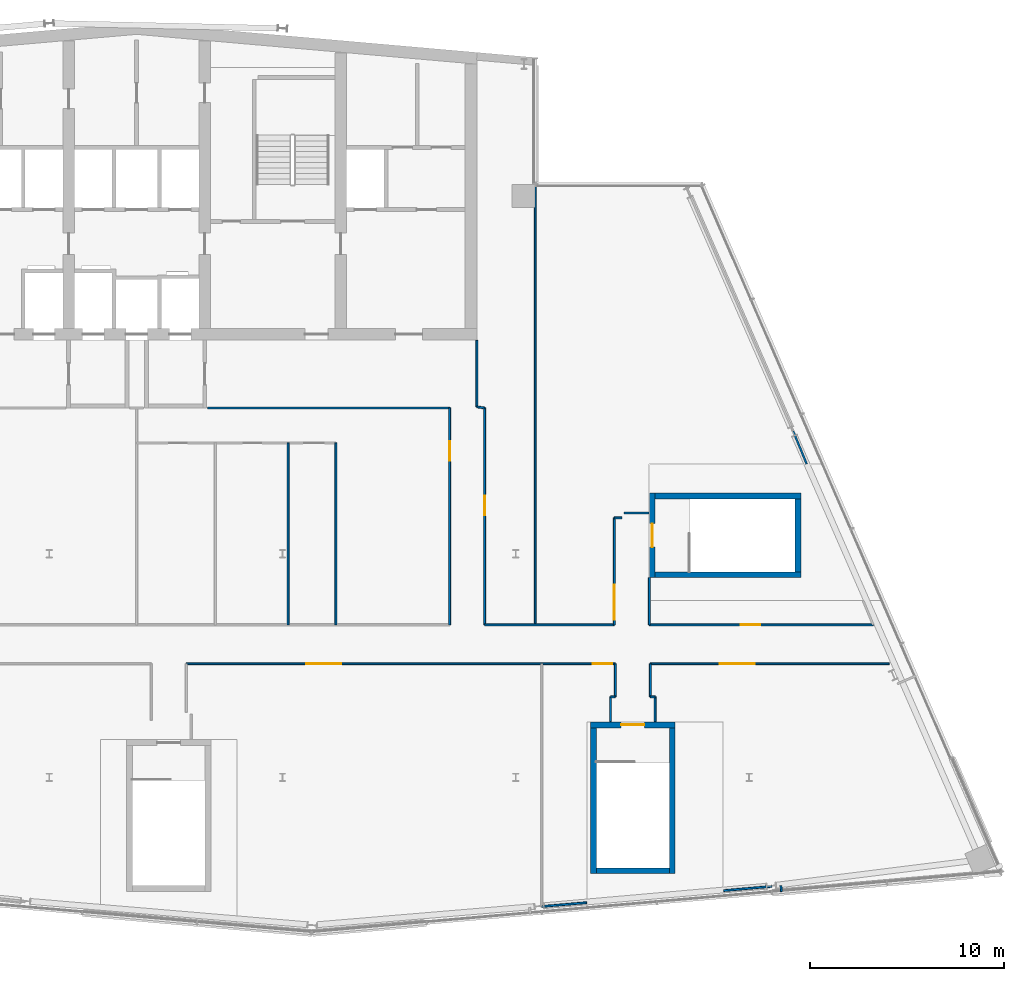
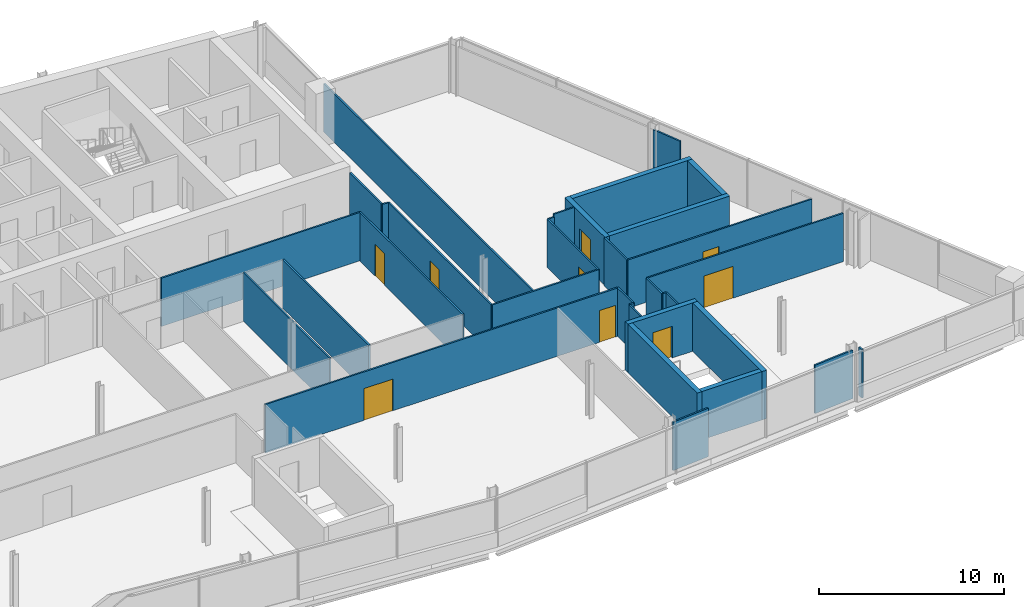
# One storey, part 15 of 19: 34 walls, 9 doors, 9 openings.
"""IFC4 building model written with IfcOpenShell, lengths in metres."""

from ifc_helpers import new_model, si_unit, direction, frame, frame_2d, origin, place, context, subcontext, project, spatial, rectangle, extrude, material, layer, layer_set, type_object, element, fill, save


model = new_model("IFC4")

# Units and contexts
model_context = context("Model", 3, precision=1e-05, world=origin(), true_north=direction((0.0, 1.0)))
body_context = subcontext(model_context, "Body", "Model", "MODEL_VIEW")
ifc_project = project(units=[si_unit("LENGTHUNIT", "METRE"), si_unit("AREAUNIT", "SQUARE_METRE"), si_unit("VOLUMEUNIT", "CUBIC_METRE"), si_unit("PLANEANGLEUNIT", "RADIAN"), si_unit("MASSUNIT", "GRAM", prefix="KILO")], contexts=[model_context])

# Site, building, storey
site_placement = place(None, origin())
site = spatial("IfcSite", under=ifc_project, at=site_placement, CompositionType="ELEMENT")
building_placement = place(site_placement, origin())
building = spatial("IfcBuilding", under=site, at=building_placement, Name="Wharfspan Tower", CompositionType="ELEMENT")
storey_placement = place(building_placement, frame((0.0, 0.0, 257.5)))
storey = spatial("IfcBuildingStorey", under=building, at=storey_placement, Name="L65", CompositionType="ELEMENT", Elevation=257.5)

# Wall, openings, doors
ifc_material_1 = material(Name="Gypsum board on steel studs", Category="steel")
ifc_layer_1 = layer(ifc_material_1, 0.100098)
ifc_layer_set_1 = layer_set([ifc_layer_1], Name="Gypsum board on steel studs")
wall_type_1 = type_object("IfcWallType", Name="Compartment wall 100 EI 60", PredefinedType="PARTITIONING", material=ifc_layer_set_1)
wall_1_placement = place(storey_placement, frame((43.054932, 17.344971, 0.0), z_axis=(0.0, 0.0, 1.0), x_axis=(1.0, 0.0, 0.0)))
wall_1 = element("IfcWall", 1, at=wall_1_placement, inside=storey, type_object=wall_type_1, Name="Partition L65.w015", PredefinedType="PARTITIONING", context=body_context, shape_type="SweptSolid", body=[
    extrude(rectangle(XDim=22.060059, YDim=0.100098, at=frame_2d((11.030029, 0.0))), origin(), (0.0, 0.0, 1.0), 3.199951),
])
opening_1_placement = place(wall_1_placement, frame((6.164307, 0.0, 0.0)))
opening_1 = element("IfcOpeningElement", 2, at=opening_1_placement, cuts=wall_1, Name="Opening D7-02", PredefinedType="OPENING", context=body_context, shape_type="SweptSolid", body=[
    extrude(rectangle(XDim=1.800049, YDim=2.100098, at=frame_2d((0.899902, 1.050049))), frame((0.0, 0.060059, 0.0), z_axis=(0.0, -1.0, 0.0), x_axis=(1.0, 0.0, 0.0)), (0.0, 0.0, 1.0), 0.120117),
])
opening_2_placement = place(wall_1_placement, frame((20.899902, 0.0, 0.0)))
opening_2 = element("IfcOpeningElement", 3, at=opening_2_placement, cuts=wall_1, Name="Opening D7-03", PredefinedType="OPENING", context=body_context, shape_type="SweptSolid", body=[
    extrude(rectangle(XDim=1.0, YDim=2.100098, at=frame_2d((0.5, 1.050049))), frame((0.0, 0.060059, 0.0), z_axis=(0.0, -1.0, 0.0), x_axis=(1.0, 0.0, 0.0)), (0.0, 0.0, 1.0), 0.120117),
])
ifc_material_2 = material(Name="Fire-rated timber door leaf in steel frame", Category="steel")
door_type_1 = type_object("IfcDoorType", Name="Door 1000 FD30S Right", OperationType="SINGLE_SWING_RIGHT", PredefinedType="DOOR", material=ifc_material_2)
door_1_placement = place(opening_2_placement, origin())
door_1 = element("IfcDoor", 4, at=door_1_placement, inside=storey, type_object=door_type_1, Name="Door D7-03", OperationType="SINGLE_SWING_RIGHT", OverallHeight=2.100098, OverallWidth=1.0, PredefinedType="DOOR", context=body_context, shape_type="SweptSolid", body=[
    extrude(rectangle(XDim=1.0, YDim=2.100098, at=frame_2d((0.5, 1.050049))), frame((0.0, 0.024902, 0.0), z_axis=(0.0, -1.0, 0.0), x_axis=(1.0, 0.0, 0.0)), (0.0, 0.0, 1.0), 0.050049),
])
fill(opening_2, door_1)
door_type_2 = type_object("IfcDoorType", Name="Door 1800 FD30S Double", OperationType="DOUBLE_DOOR_SINGLE_SWING", PredefinedType="DOOR", material=ifc_material_2)
door_2_placement = place(opening_1_placement, origin())
door_2 = element("IfcDoor", 5, at=door_2_placement, inside=storey, type_object=door_type_2, Name="Door D7-02", OperationType="DOUBLE_DOOR_SINGLE_SWING", OverallHeight=2.100098, OverallWidth=1.800049, PredefinedType="DOOR", context=body_context, shape_type="SweptSolid", body=[
    extrude(rectangle(XDim=1.800049, YDim=2.100098, at=frame_2d((0.899902, 1.050049))), frame((0.0, 0.024902, 0.0), z_axis=(0.0, -1.0, 0.0), x_axis=(1.0, 0.0, 0.0)), (0.0, 0.0, 1.0), 0.050049),
])
fill(opening_1, door_2)

# Walls
for number, where, z_axis, x_axis, name in (
    (6, (48.290039, 19.350098, 0.0), (0.0, 0.0, 1.0), (0.0, 1.0, 0.0), "Partition L65.w018"),
    (7, (50.75, 19.350098, 0.0), (0.0, 0.0, 1.0), (0.0, 1.0, 0.0), "Partition L65.w019"),
):
    element("IfcWall", number, at=place(storey_placement, frame(where, z_axis=z_axis, x_axis=x_axis)), inside=storey, type_object=wall_type_1, Name=name, PredefinedType="PARTITIONING", context=body_context, shape_type="SweptSolid", body=[
        extrude(rectangle(XDim=9.349854, YDim=0.100098, at=frame_2d((4.674805, 0.0))), origin(), (0.0, 0.0, 1.0), 3.199951),
    ])

# Wall, opening, door
wall_2_placement = place(storey_placement, frame((56.600098, 19.350098, 0.0), z_axis=(0.0, 0.0, 1.0), x_axis=(0.0, 1.0, 0.0)))
wall_2 = element("IfcWall", 8, at=wall_2_placement, inside=storey, type_object=wall_type_1, Name="Partition L65.w020", PredefinedType="PARTITIONING", context=body_context, shape_type="SweptSolid", body=[
    extrude(rectangle(XDim=11.149902, YDim=0.100098, at=frame_2d((5.574951, 0.0))), origin(), (0.0, 0.0, 1.0), 3.199951),
])
opening_3_placement = place(wall_2_placement, frame((8.439209, 0.0, 0.0)))
opening_3 = element("IfcOpeningElement", 9, at=opening_3_placement, cuts=wall_2, Name="Opening D7-08", PredefinedType="OPENING", context=body_context, shape_type="SweptSolid", body=[
    extrude(rectangle(XDim=1.0, YDim=2.100098, at=frame_2d((0.5, 1.050049))), frame((0.0, 0.060059, 0.0), z_axis=(0.0, -1.0, 0.0), x_axis=(1.0, 0.0, 0.0)), (0.0, 0.0, 1.0), 0.120117),
])
door_3_placement = place(opening_3_placement, origin())
door_3 = element("IfcDoor", 10, at=door_3_placement, inside=storey, type_object=door_type_1, Name="Door D7-08", OperationType="SINGLE_SWING_RIGHT", OverallHeight=2.100098, OverallWidth=1.0, PredefinedType="DOOR", context=body_context, shape_type="SweptSolid", body=[
    extrude(rectangle(XDim=1.0, YDim=2.100098, at=frame_2d((0.5, 1.050049))), frame((0.0, 0.024902, 0.0), z_axis=(0.0, -1.0, 0.0), x_axis=(1.0, 0.0, 0.0)), (0.0, 0.0, 1.0), 0.050049),
])
fill(opening_3, door_3)

# Walls
wall_3_placement = place(storey_placement, frame((58.0, 30.560059, 0.0), z_axis=(0.0, 0.0, 1.0), x_axis=(0.0, 1.0, 0.0)))
element("IfcWall", 11, at=wall_3_placement, inside=storey, type_object=wall_type_1, Name="Partition L65.w021", PredefinedType="PARTITIONING", context=body_context, shape_type="SweptSolid", body=[
    extrude(rectangle(XDim=3.419922, YDim=0.100098, at=frame_2d((1.709961, 0.0))), origin(), (0.0, 0.0, 1.0), 3.199951),
])
wall_4_placement = place(storey_placement, frame((58.39502, 30.5, 0.0), z_axis=(0.0, 0.0, 1.0), x_axis=(-0.988637, 0.150312, 0.0)))
element("IfcWall", 12, at=wall_4_placement, inside=storey, type_object=wall_type_1, Name="Partition L65.w022", PredefinedType="PARTITIONING", context=body_context, shape_type="SweptSolid", body=[
    extrude(rectangle(XDim=0.399658, YDim=0.100098, at=frame_2d((0.199707, 0.0))), origin(), (0.0, 0.0, 1.0), 3.199951),
])

# Wall, opening, door
wall_5_placement = place(storey_placement, frame((58.399902, 19.350098, 0.0), z_axis=(0.0, 0.0, 1.0), x_axis=(0.0, 1.0, 0.0)))
wall_5 = element("IfcWall", 13, at=wall_5_placement, inside=storey, type_object=wall_type_1, Name="Partition L65.w023", PredefinedType="PARTITIONING", context=body_context, shape_type="SweptSolid", body=[
    extrude(rectangle(XDim=11.149902, YDim=0.100098, at=frame_2d((5.574951, 0.0))), origin(), (0.0, 0.0, 1.0), 3.199951),
])
opening_4_placement = place(wall_5_placement, frame((5.625, 0.0, 0.0)))
opening_4 = element("IfcOpeningElement", 14, at=opening_4_placement, cuts=wall_5, Name="Opening D7-07", PredefinedType="OPENING", context=body_context, shape_type="SweptSolid", body=[
    extrude(rectangle(XDim=1.0, YDim=2.100098, at=frame_2d((0.5, 1.050049))), frame((0.0, 0.060059, 0.0), z_axis=(0.0, -1.0, 0.0), x_axis=(1.0, 0.0, 0.0)), (0.0, 0.0, 1.0), 0.120117),
])
door_4_placement = place(opening_4_placement, origin())
door_4 = element("IfcDoor", 15, at=door_4_placement, inside=storey, type_object=door_type_1, Name="Door D7-07", OperationType="SINGLE_SWING_RIGHT", OverallHeight=2.100098, OverallWidth=1.0, PredefinedType="DOOR", context=body_context, shape_type="SweptSolid", body=[
    extrude(rectangle(XDim=1.0, YDim=2.100098, at=frame_2d((0.5, 1.050049))), frame((0.0, 0.024902, 0.0), z_axis=(0.0, -1.0, 0.0), x_axis=(1.0, 0.0, 0.0)), (0.0, 0.0, 1.0), 0.050049),
])
fill(opening_4, door_4)

# Walls
wall_6_placement = place(storey_placement, frame((58.399902, 19.350098, 0.0), z_axis=(0.0, 0.0, 1.0), x_axis=(1.0, 0.0, 0.0)))
element("IfcWall", 16, at=wall_6_placement, inside=storey, type_object=wall_type_1, Name="Partition L65.w024", PredefinedType="PARTITIONING", context=body_context, shape_type="SweptSolid", body=[
    extrude(rectangle(XDim=6.670166, YDim=0.100098, at=frame_2d((3.334961, 0.0))), origin(), (0.0, 0.0, 1.0), 3.199951),
])
wall_7_placement = place(storey_placement, frame((61.0, 19.350098, 0.0), z_axis=(0.0, 0.0, 1.0), x_axis=(0.0, 1.0, 0.0)))
element("IfcWall", 17, at=wall_7_placement, inside=storey, type_object=wall_type_1, Name="Partition L65.w026", PredefinedType="PARTITIONING", context=body_context, shape_type="SweptSolid", body=[
    extrude(rectangle(XDim=22.629883, YDim=0.100098, at=frame_2d((11.314941, 0.0))), origin(), (0.0, 0.0, 1.0), 3.199951),
])
wall_8_placement = place(storey_placement, frame((64.870117, 14.366211, 0.0), z_axis=(0.0, 0.0, 1.0), x_axis=(0.0, 1.0, 0.0)))
element("IfcWall", 18, at=wall_8_placement, inside=storey, type_object=wall_type_1, Name="Partition L65.w029", PredefinedType="PARTITIONING", context=body_context, shape_type="SweptSolid", body=[
    extrude(rectangle(XDim=1.278809, YDim=0.100098, at=frame_2d((0.639404, 0.0))), origin(), (0.0, 0.0, 1.0), 3.199951),
])
wall_9_placement = place(storey_placement, frame((64.875, 15.64502, 0.0), z_axis=(0.0, 0.0, 1.0), x_axis=(1.0, 0.0, 0.0)))
element("IfcWall", 19, at=wall_9_placement, inside=storey, type_object=wall_type_1, Name="Partition L65.w030", PredefinedType="PARTITIONING", context=body_context, shape_type="SweptSolid", body=[
    extrude(rectangle(XDim=0.23999, YDim=0.100098, at=frame_2d((0.120117, 0.0))), origin(), (0.0, 0.0, 1.0), 3.199951),
])

# Wall, opening, door
wall_10_placement = place(storey_placement, frame((65.070068, 19.350098, 0.0), z_axis=(0.0, 0.0, 1.0), x_axis=(0.0, 1.0, 0.0)))
wall_10 = element("IfcWall", 20, at=wall_10_placement, inside=storey, type_object=wall_type_1, Name="Partition L65.w031", PredefinedType="PARTITIONING", context=body_context, shape_type="SweptSolid", body=[
    extrude(rectangle(XDim=5.5, YDim=0.100098, at=frame_2d((2.75, 0.0))), origin(), (0.0, 0.0, 1.0), 3.199951),
])
opening_5_placement = place(wall_10_placement, frame((0.269043, 0.0, 0.0)))
opening_5 = element("IfcOpeningElement", 21, at=opening_5_placement, cuts=wall_10, Name="Opening D7-06", PredefinedType="OPENING", context=body_context, shape_type="SweptSolid", body=[
    extrude(rectangle(XDim=1.800049, YDim=2.100098, at=frame_2d((0.899902, 1.050049))), frame((0.0, 0.060059, 0.0), z_axis=(0.0, -1.0, 0.0), x_axis=(1.0, 0.0, 0.0)), (0.0, 0.0, 1.0), 0.120117),
])
door_5_placement = place(opening_5_placement, origin())
door_5 = element("IfcDoor", 22, at=door_5_placement, inside=storey, type_object=door_type_2, Name="Door D7-06", OperationType="DOUBLE_DOOR_SINGLE_SWING", OverallHeight=2.100098, OverallWidth=1.800049, PredefinedType="DOOR", context=body_context, shape_type="SweptSolid", body=[
    extrude(rectangle(XDim=1.800049, YDim=2.100098, at=frame_2d((0.899902, 1.050049))), frame((0.0, 0.024902, 0.0), z_axis=(0.0, -1.0, 0.0), x_axis=(1.0, 0.0, 0.0)), (0.0, 0.0, 1.0), 0.050049),
])
fill(opening_5, door_5)

# Walls
wall_11_placement = place(storey_placement, frame((65.070068, 24.850098, 0.0), z_axis=(0.0, 0.0, 1.0), x_axis=(1.0, 0.0, 0.0)))
element("IfcWall", 23, at=wall_11_placement, inside=storey, type_object=wall_type_1, Name="Partition L65.w032", PredefinedType="PARTITIONING", context=body_context, shape_type="SweptSolid", body=[
    extrude(rectangle(XDim=0.379883, YDim=0.100098, at=frame_2d((0.189941, 0.0))), origin(), (0.0, 0.0, 1.0), 3.199951),
])
wall_12_placement = place(storey_placement, frame((65.120117, 15.649902, 0.0), z_axis=(0.0, 0.0, 1.0), x_axis=(0.0, 1.0, 0.0)))
element("IfcWall", 24, at=wall_12_placement, inside=storey, type_object=wall_type_1, Name="Partition L65.w033", PredefinedType="PARTITIONING", context=body_context, shape_type="SweptSolid", body=[
    extrude(rectangle(XDim=1.690186, YDim=0.100098, at=frame_2d((0.845215, 0.0))), origin(), (0.0, 0.0, 1.0), 3.199951),
])
wall_13_placement = place(storey_placement, frame((65.570068, 25.100098, 0.0), z_axis=(0.0, 0.0, 1.0), x_axis=(1.0, 0.0, 0.0)))
element("IfcWall", 25, at=wall_13_placement, inside=storey, type_object=wall_type_1, Name="Partition L65.w034", PredefinedType="PARTITIONING", context=body_context, shape_type="SweptSolid", body=[
    extrude(rectangle(XDim=1.279541, YDim=0.100098, at=frame_2d((0.639648, 0.0))), origin(), (0.0, 0.0, 1.0), 3.199951),
])
wall_14_placement = place(storey_placement, frame((66.870117, 19.350098, 0.0), z_axis=(0.0, 0.0, 1.0), x_axis=(0.0, 1.0, 0.0)))
element("IfcWall", 26, at=wall_14_placement, inside=storey, type_object=wall_type_1, Name="Partition L65.w035", PredefinedType="PARTITIONING", context=body_context, shape_type="SweptSolid", body=[
    extrude(rectangle(XDim=2.424805, YDim=0.100098, at=frame_2d((1.212402, 0.0))), origin(), (0.0, 0.0, 1.0), 3.199951),
])

# Wall, opening, door
wall_15_placement = place(storey_placement, frame((66.870117, 19.350098, 0.0), z_axis=(0.0, 0.0, 1.0), x_axis=(1.0, 0.0, 0.0)))
wall_15 = element("IfcWall", 27, at=wall_15_placement, inside=storey, type_object=wall_type_1, Name="Partition L65.w036", PredefinedType="PARTITIONING", context=body_context, shape_type="SweptSolid", body=[
    extrude(rectangle(XDim=11.509766, YDim=0.100098, at=frame_2d((5.754883, 0.0))), origin(), (0.0, 0.0, 1.0), 3.199951),
])
opening_6_placement = place(wall_15_placement, frame((4.691162, 0.0, 0.0)))
opening_6 = element("IfcOpeningElement", 28, at=opening_6_placement, cuts=wall_15, Name="Opening D7-05", PredefinedType="OPENING", context=body_context, shape_type="SweptSolid", body=[
    extrude(rectangle(XDim=1.0, YDim=2.100098, at=frame_2d((0.5, 1.050049))), frame((0.0, 0.060059, 0.0), z_axis=(0.0, -1.0, 0.0), x_axis=(1.0, 0.0, 0.0)), (0.0, 0.0, 1.0), 0.120117),
])
door_type_3 = type_object("IfcDoorType", Name="Door 1000 FD30S Left", OperationType="SINGLE_SWING_LEFT", PredefinedType="DOOR", material=ifc_material_2)
door_6_placement = place(opening_6_placement, origin())
door_6 = element("IfcDoor", 29, at=door_6_placement, inside=storey, type_object=door_type_3, Name="Door D7-05", OperationType="SINGLE_SWING_LEFT", OverallHeight=2.100098, OverallWidth=1.0, PredefinedType="DOOR", context=body_context, shape_type="SweptSolid", body=[
    extrude(rectangle(XDim=1.0, YDim=2.100098, at=frame_2d((0.5, 1.050049))), frame((0.0, 0.024902, 0.0), z_axis=(0.0, -1.0, 0.0), x_axis=(1.0, 0.0, 0.0)), (0.0, 0.0, 1.0), 0.050049),
])
fill(opening_6, door_6)

# Walls
wall_16_placement = place(storey_placement, frame((66.919922, 15.649902, 0.0), z_axis=(0.0, 0.0, 1.0), x_axis=(0.0, 1.0, 0.0)))
element("IfcWall", 30, at=wall_16_placement, inside=storey, type_object=wall_type_1, Name="Partition L65.w037", PredefinedType="PARTITIONING", context=body_context, shape_type="SweptSolid", body=[
    extrude(rectangle(XDim=1.690186, YDim=0.100098, at=frame_2d((0.845215, 0.0))), origin(), (0.0, 0.0, 1.0), 3.199951),
])
wall_17_placement = place(storey_placement, frame((66.925049, 15.64502, 0.0), z_axis=(0.0, 0.0, 1.0), x_axis=(1.0, 0.0, 0.0)))
element("IfcWall", 31, at=wall_17_placement, inside=storey, type_object=wall_type_1, Name="Partition L65.w038", PredefinedType="PARTITIONING", context=body_context, shape_type="SweptSolid", body=[
    extrude(rectangle(XDim=0.23999, YDim=0.100098, at=frame_2d((0.120117, 0.0))), origin(), (0.0, 0.0, 1.0), 3.199951),
])

# Wall, opening, door
wall_18_placement = place(storey_placement, frame((66.925049, 17.344971, 0.0), z_axis=(0.0, 0.0, 1.0), x_axis=(1.0, 0.0, 0.0)))
wall_18 = element("IfcWall", 32, at=wall_18_placement, inside=storey, type_object=wall_type_1, Name="Partition L65.w039", PredefinedType="PARTITIONING", context=body_context, shape_type="SweptSolid", body=[
    extrude(rectangle(XDim=12.280029, YDim=0.100098, at=frame_2d((6.140137, 0.0))), origin(), (0.0, 0.0, 1.0), 3.199951),
])
opening_7_placement = place(wall_18_placement, frame((3.564941, 0.0, 0.0)))
opening_7 = element("IfcOpeningElement", 33, at=opening_7_placement, cuts=wall_18, Name="Opening D7-04", PredefinedType="OPENING", context=body_context, shape_type="SweptSolid", body=[
    extrude(rectangle(XDim=1.800049, YDim=2.100098, at=frame_2d((0.899902, 1.050049))), frame((0.0, 0.060059, 0.0), z_axis=(0.0, -1.0, 0.0), x_axis=(1.0, 0.0, 0.0)), (0.0, 0.0, 1.0), 0.120117),
])
door_7_placement = place(opening_7_placement, origin())
door_7 = element("IfcDoor", 34, at=door_7_placement, inside=storey, type_object=door_type_2, Name="Door D7-04", OperationType="DOUBLE_DOOR_SINGLE_SWING", OverallHeight=2.100098, OverallWidth=1.800049, PredefinedType="DOOR", context=body_context, shape_type="SweptSolid", body=[
    extrude(rectangle(XDim=1.800049, YDim=2.100098, at=frame_2d((0.899902, 1.050049))), frame((0.0, 0.024902, 0.0), z_axis=(0.0, -1.0, 0.0), x_axis=(1.0, 0.0, 0.0)), (0.0, 0.0, 1.0), 0.050049),
])
fill(opening_7, door_7)

# Walls
wall_19_placement = place(storey_placement, frame((67.169922, 14.366211, 0.0), z_axis=(0.0, 0.0, 1.0), x_axis=(0.0, 1.0, 0.0)))
element("IfcWall", 35, at=wall_19_placement, inside=storey, type_object=wall_type_1, Name="Partition L65.w040", PredefinedType="PARTITIONING", context=body_context, shape_type="SweptSolid", body=[
    extrude(rectangle(XDim=1.278809, YDim=0.100098, at=frame_2d((0.639404, 0.0))), origin(), (0.0, 0.0, 1.0), 3.199951),
])
wall_20_placement = place(storey_placement, frame((44.149902, 30.5, 0.0), z_axis=(0.0, 0.0, 1.0), x_axis=(1.0, 0.0, 0.0)))
element("IfcWall", 36, at=wall_20_placement, inside=storey, type_object=wall_type_1, Name="Partition L65.w006 (3)", PredefinedType="PARTITIONING", context=body_context, shape_type="SweptSolid", body=[
    extrude(rectangle(XDim=12.450195, YDim=0.100098, at=frame_2d((6.225098, 0.0))), origin(), (0.0, 0.0, 1.0), 3.199951),
])
ifc_layer_2 = layer(ifc_material_1, 0.100098)
ifc_layer_set_2 = layer_set([ifc_layer_2], Name="Gypsum board on steel studs")
wall_type_2 = type_object("IfcWallType", Name="Partition 100", PredefinedType="PARTITIONING", material=ifc_layer_set_2)
wall_21_placement = place(storey_placement, frame((61.334961, 4.860107, 0.0), z_axis=(0.0, 0.0, 1.0), x_axis=(0.996359, 0.085264, 0.0)))
element("IfcWall", 37, at=wall_21_placement, inside=storey, type_object=wall_type_2, Name="Partition L65.w028", PredefinedType="PARTITIONING", context=body_context, shape_type="SweptSolid", body=[
    extrude(rectangle(XDim=2.322266, YDim=0.100098, at=frame_2d((1.161133, 0.0))), origin(), (0.0, 0.0, 1.0), 3.199951),
])
wall_22_placement = place(storey_placement, frame((70.688721, 5.676758, 0.0), z_axis=(0.0, 0.0, 1.0), x_axis=(0.996136, 0.087799, 0.0)))
element("IfcWall", 38, at=wall_22_placement, inside=storey, type_object=wall_type_2, Name="Partition L65.w041", PredefinedType="PARTITIONING", context=body_context, shape_type="SweptSolid", body=[
    extrude(rectangle(XDim=2.48584, YDim=0.100098, at=frame_2d((1.24292, 0.0))), origin(), (0.0, 0.0, 1.0), 3.199951),
])
wall_23_placement = place(storey_placement, frame((73.66333, 5.628174, 0.0), z_axis=(0.0, 0.0, 1.0), x_axis=(-0.091893, 0.995772, 0.0)))
element("IfcWall", 39, at=wall_23_placement, inside=storey, type_object=wall_type_2, Name="Partition L65.w042", PredefinedType="PARTITIONING", context=body_context, shape_type="SweptSolid", body=[
    extrude(rectangle(XDim=0.308105, YDim=0.100098, at=frame_2d((0.154053, 0.0))), origin(), (0.0, 0.0, 1.0), 3.199951),
])
wall_24_placement = place(storey_placement, frame((74.961914, 27.620117, 0.0), z_axis=(0.0, 0.0, 1.0), x_axis=(-0.381293, 0.924452, 0.0)))
element("IfcWall", 40, at=wall_24_placement, inside=storey, type_object=wall_type_2, Name="Partition L65.w044", PredefinedType="PARTITIONING", context=body_context, shape_type="SweptSolid", body=[
    extrude(rectangle(XDim=1.828125, YDim=0.100098, at=frame_2d((0.914062, 0.0))), origin(), (0.0, 0.0, 1.0), 3.199951),
])

# Wall, opening, door
ifc_material_3 = material(Name="Concrete C40/50", Category="concrete")
ifc_layer_3 = layer(ifc_material_3, 0.300049)
ifc_layer_set_3 = layer_set([ifc_layer_3], Name="Concrete C40/50")
wall_type_3 = type_object("IfcWallType", Name="Stair core wall 300", PredefinedType="SHEAR", material=ifc_layer_set_3)
wall_25_placement = place(storey_placement, frame((63.84375, 14.196289, 0.0), z_axis=(0.0, 0.0, 1.0), x_axis=(1.0, 0.0, 0.0)))
wall_25 = element("IfcWall", 41, at=wall_25_placement, inside=storey, type_object=wall_type_3, Name="ST5 stair enclosure wall L65", PredefinedType="SHEAR", context=body_context, shape_type="SweptSolid", body=[
    extrude(rectangle(XDim=4.350098, YDim=0.300049, at=frame_2d((2.175049, 0.0))), origin(), (0.0, 0.0, 1.0), 3.199951),
])
opening_8_placement = place(wall_25_placement, frame((1.574951, 0.0, 0.0)))
opening_8 = element("IfcOpeningElement", 42, at=opening_8_placement, cuts=wall_25, Name="Opening SD5.L65", PredefinedType="OPENING", context=body_context, shape_type="SweptSolid", body=[
    extrude(rectangle(XDim=1.199951, YDim=2.100098, at=frame_2d((0.600098, 1.050049))), frame((0.0, 0.159912, 0.0), z_axis=(0.0, -1.0, 0.0), x_axis=(1.0, 0.0, 0.0)), (0.0, 0.0, 1.0), 0.320068),
])
ifc_material_4 = material(Name="Steel door leaf", Category="steel")
door_type_4 = type_object("IfcDoorType", Name="Stair door 1200x2100", OperationType="SINGLE_SWING_LEFT", PredefinedType="DOOR", material=ifc_material_4)
door_8_placement = place(opening_8_placement, origin())
door_8 = element("IfcDoor", 43, at=door_8_placement, inside=storey, type_object=door_type_4, Name="sd:L65:ST5z4", OperationType="SINGLE_SWING_RIGHT", OverallHeight=2.100098, OverallWidth=1.199951, PredefinedType="DOOR", context=body_context, shape_type="SweptSolid", body=[
    extrude(rectangle(XDim=1.199951, YDim=2.100098, at=frame_2d((0.600098, 1.050049))), frame((0.0, 0.024902, 0.0), z_axis=(0.0, -1.0, 0.0), x_axis=(1.0, 0.0, 0.0)), (0.0, 0.0, 1.0), 0.050049),
])
fill(opening_8, door_8)

wall_26_placement = place(storey_placement, frame((67.019531, 21.774902, 0.0), z_axis=(0.0, 0.0, 1.0), x_axis=(0.0, 1.0, 0.0)))
wall_26 = element("IfcWall", 44, at=wall_26_placement, inside=storey, type_object=wall_type_3, Name="ST6 stair enclosure wall L65", PredefinedType="SHEAR", context=body_context, shape_type="SweptSolid", body=[
    extrude(rectangle(XDim=4.350098, YDim=0.300049, at=frame_2d((2.175049, 0.0))), origin(), (0.0, 0.0, 1.0), 3.199951),
])
opening_9_placement = place(wall_26_placement, frame((1.574951, 0.0, 0.0)))
opening_9 = element("IfcOpeningElement", 45, at=opening_9_placement, cuts=wall_26, Name="Opening SD6.L65", PredefinedType="OPENING", context=body_context, shape_type="SweptSolid", body=[
    extrude(rectangle(XDim=1.199951, YDim=2.100098, at=frame_2d((0.600098, 1.050049))), frame((0.0, 0.159912, 0.0), z_axis=(0.0, -1.0, 0.0), x_axis=(1.0, 0.0, 0.0)), (0.0, 0.0, 1.0), 0.320068),
])
door_9_placement = place(opening_9_placement, origin())
door_9 = element("IfcDoor", 46, at=door_9_placement, inside=storey, type_object=door_type_4, Name="sd:L65:ST6z4", OperationType="SINGLE_SWING_RIGHT", OverallHeight=2.100098, OverallWidth=1.199951, PredefinedType="DOOR", context=body_context, shape_type="SweptSolid", body=[
    extrude(rectangle(XDim=1.199951, YDim=2.100098, at=frame_2d((0.600098, 1.050049))), frame((0.0, 0.024902, 0.0), z_axis=(0.0, -1.0, 0.0), x_axis=(1.0, 0.0, 0.0)), (0.0, 0.0, 1.0), 0.050049),
])
fill(opening_9, door_9)

# Walls
for number, where, z_axis, x_axis, name in (
    (47, (63.993896, 6.546143, 0.0), (0.0, 0.0, 1.0), (0.0, 1.0, 0.0), "ST5 stair enclosure wall L65"),
    (48, (68.043701, 6.546143, 0.0), (0.0, 0.0, 1.0), (0.0, 1.0, 0.0), "ST5 stair enclosure wall L65"),
):
    element("IfcWall", number, at=place(storey_placement, frame(where, z_axis=z_axis, x_axis=x_axis)), inside=storey, type_object=wall_type_3, Name=name, PredefinedType="SHEAR", context=body_context, shape_type="SweptSolid", body=[
        extrude(rectangle(XDim=7.5, YDim=0.300049, at=frame_2d((3.75, 0.0))), origin(), (0.0, 0.0, 1.0), 3.199951),
    ])
wall_27_placement = place(storey_placement, frame((64.143799, 6.696289, 0.0), z_axis=(0.0, 0.0, 1.0), x_axis=(1.0, 0.0, 0.0)))
element("IfcWall", 49, at=wall_27_placement, inside=storey, type_object=wall_type_3, Name="ST5 stair enclosure wall L65", PredefinedType="SHEAR", context=body_context, shape_type="SweptSolid", body=[
    extrude(rectangle(XDim=3.75, YDim=0.300049, at=frame_2d((1.875, 0.0))), origin(), (0.0, 0.0, 1.0), 3.199951),
])
for number, where, z_axis, x_axis, name in (
    (50, (67.169678, 21.925049, 0.0), (0.0, 0.0, 1.0), (1.0, 0.0, 0.0), "ST6 stair enclosure wall L65"),
    (51, (67.169678, 25.975098, 0.0), (0.0, 0.0, 1.0), (1.0, 0.0, 0.0), "ST6 stair enclosure wall L65"),
):
    element("IfcWall", number, at=place(storey_placement, frame(where, z_axis=z_axis, x_axis=x_axis)), inside=storey, type_object=wall_type_3, Name=name, PredefinedType="SHEAR", context=body_context, shape_type="SweptSolid", body=[
        extrude(rectangle(XDim=7.5, YDim=0.300049, at=frame_2d((3.75, 0.0))), origin(), (0.0, 0.0, 1.0), 3.199951),
    ])
wall_28_placement = place(storey_placement, frame((74.519531, 22.074951, 0.0), z_axis=(0.0, 0.0, 1.0), x_axis=(0.0, 1.0, 0.0)))
element("IfcWall", 52, at=wall_28_placement, inside=storey, type_object=wall_type_3, Name="ST6 stair enclosure wall L65", PredefinedType="SHEAR", context=body_context, shape_type="SweptSolid", body=[
    extrude(rectangle(XDim=3.75, YDim=0.300049, at=frame_2d((1.875, 0.0))), origin(), (0.0, 0.0, 1.0), 3.199951),
])

save(model, "model.ifc")
